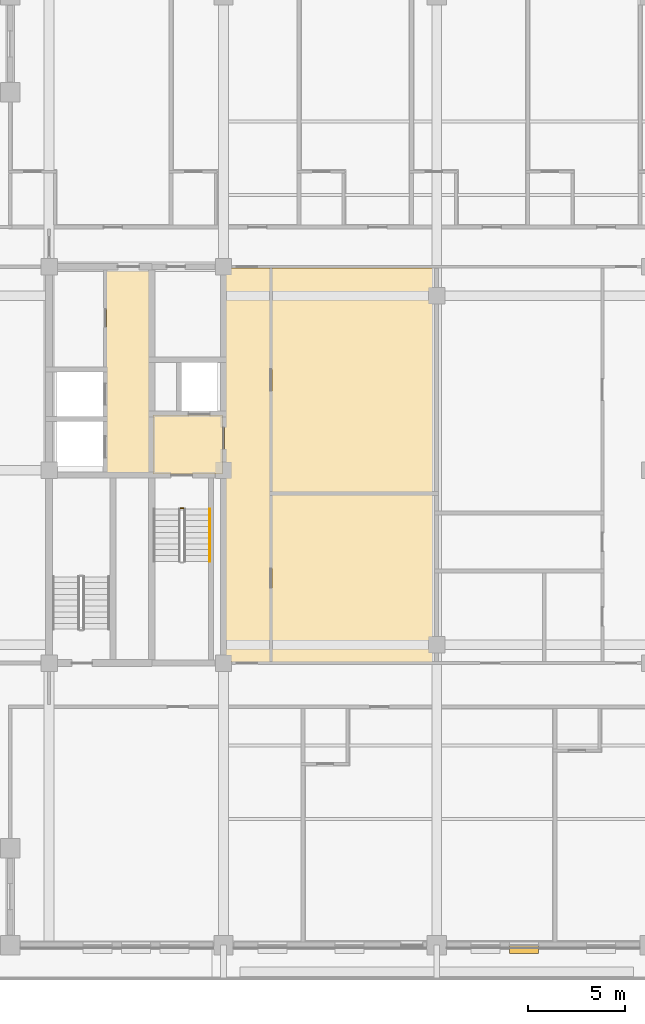
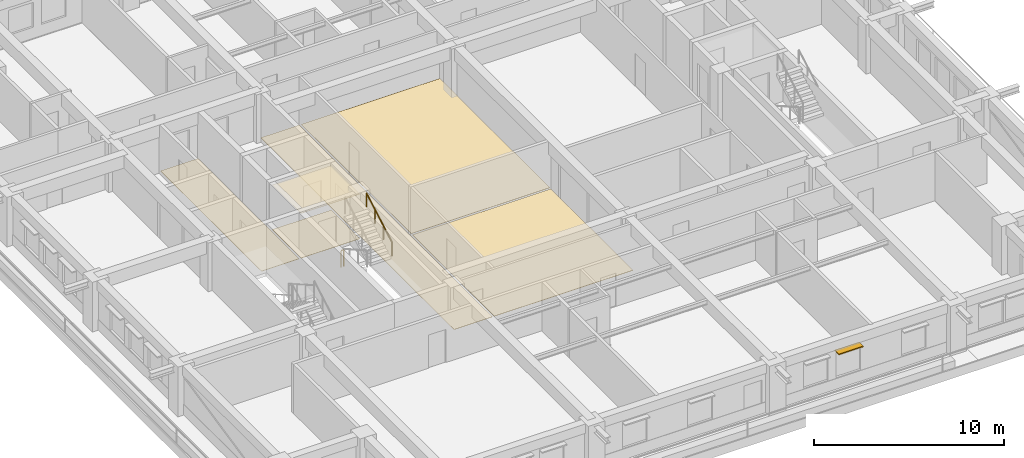
# One storey, part 11 of 14: 6 coverings, 2 railings, 1 shading device.
"""IFC4 building model written with IfcOpenShell, lengths in metres."""

from ifc_helpers import new_model, si_unit, direction, frame, frame_2d, origin, origin_2d, place, context, subcontext, project, spatial, polyline, rectangle, outline, extrude, material, layer, layer_set, type_object, element, save


model = new_model("IFC4")

# Units and contexts
model_context = context("Model", 3, precision=1e-05, world=origin(), true_north=direction((0.0, 1.0)))
body_context = subcontext(model_context, "Body", "Model", "MODEL_VIEW")
ifc_project = project(units=[si_unit("LENGTHUNIT", "METRE"), si_unit("AREAUNIT", "SQUARE_METRE"), si_unit("VOLUMEUNIT", "CUBIC_METRE"), si_unit("PLANEANGLEUNIT", "RADIAN"), si_unit("MASSUNIT", "GRAM", prefix="KILO")], contexts=[model_context])

# Site, building, storey
site_placement = place(None, origin())
site = spatial("IfcSite", under=ifc_project, at=site_placement, CompositionType="ELEMENT")
building_placement = place(site_placement, origin())
building = spatial("IfcBuilding", under=site, at=building_placement, Name="Zulmaris Gate Convention Tower", CompositionType="ELEMENT")
storey_placement = place(building_placement, frame((0.0, 0.0, 194.85986328125)))
storey = spatial("IfcBuildingStorey", under=building, at=storey_placement, Name="L50", CompositionType="ELEMENT", Elevation=194.85986328125)

# Coverings
ifc_material_1 = material(Name="Mineral Fibre Acoustic Ceiling Tile")
ifc_layer_1 = layer(ifc_material_1, 0.02001953125, Name="Mineral Fibre Acoustic Ceiling Tile")
ifc_layer_set_1 = layer_set([ifc_layer_1], Name="Mineral Fibre Acoustic Ceiling Tile")
covering_type_1 = type_object("IfcCoveringType", Name="CLG-ACOUSTIC-600", PredefinedType="CEILING", material=ifc_layer_set_1)
covering_1_placement = place(storey_placement, frame((0.0, 0.0, 2.8701171875)))
element("IfcCovering", 1, at=covering_1_placement, inside=storey, type_object=covering_type_1, Name="CLG-L50-R03", PredefinedType="CEILING", context=body_context, shape_type="SweptSolid", body=[
    extrude(outline(polyline([(-14.639892578125, -0.18994140625), (-11.06005859375, -0.18994140625), (-11.06005859375, 2.840087890625), (-14.639892578125, 2.840087890625), (-14.639892578125, -0.18994140625)])), origin(), (0.0, 0.0, 1.0), 0.02001953125),
])
ifc_material_2 = material(Name="Woven Acoustic Wool Carpet Tile")
ifc_layer_2 = layer(ifc_material_2, 0.02001953125, Name="Woven Acoustic Wool Carpet Tile")
ifc_layer_set_2 = layer_set([ifc_layer_2], Name="Woven Acoustic Wool Carpet Tile")
covering_type_2 = type_object("IfcCoveringType", Name="FLR-CARPET-12", PredefinedType="FLOORING", material=ifc_layer_set_2)
covering_2_placement = place(storey_placement, origin())
element("IfcCovering", 2, at=covering_2_placement, inside=storey, type_object=covering_type_2, Name="FLR-L50-R03", PredefinedType="FLOORING", context=body_context, shape_type="SweptSolid", body=[
    extrude(outline(polyline([(-14.639892578125, -0.18994140625), (-11.06005859375, -0.18994140625), (-11.06005859375, 2.840087890625), (-14.639892578125, 2.840087890625), (-14.639892578125, -0.18994140625)])), origin(), (0.0, 0.0, 1.0), 0.02001953125),
])
covering_3_placement = place(storey_placement, origin())
element("IfcCovering", 3, at=covering_3_placement, inside=storey, type_object=covering_type_2, Name="FLR-L50-R17", PredefinedType="FLOORING", context=body_context, shape_type="SweptSolid", body=[
    extrude(outline(polyline([(-17.0400390625, -0.18994140625), (-14.760009765625, -0.18994140625), (-14.760009765625, 10.43994140625), (-17.0400390625, 10.43994140625), (-17.0400390625, -0.18994140625)])), origin(), (0.0, 0.0, 1.0), 0.02001953125),
])
covering_4_placement = place(storey_placement, origin())
element("IfcCovering", 4, at=covering_4_placement, inside=storey, type_object=covering_type_2, Name="FLR-L50-R27", PredefinedType="FLOORING", context=body_context, shape_type="SweptSolid", body=[
    extrude(outline(polyline([(-10.93994140625, -9.889892578125), (-8.610107421875, -9.889892578125), (-8.610107421875, 10.43994140625), (-10.93994140625, 10.43994140625), (-10.93994140625, -9.889892578125)])), origin(), (0.0, 0.0, 1.0), 0.02001953125),
])
covering_5_placement = place(storey_placement, origin())
element("IfcCovering", 5, at=covering_5_placement, inside=storey, type_object=covering_type_2, Name="FLR-L50-R47", PredefinedType="FLOORING", context=body_context, shape_type="SweptSolid", body=[
    extrude(outline(polyline([(-8.489990234375, -9.889892578125), (-0.06005859375, -9.889892578125), (-0.06005859375, -1.260009765625), (-8.489990234375, -1.260009765625), (-8.489990234375, -9.889892578125)])), origin(), (0.0, 0.0, 1.0), 0.02001953125),
])
ifc_material_3 = material(Name="Engineered Teak Parquet Flooring")
ifc_layer_3 = layer(ifc_material_3, 0.02001953125, Name="Engineered Teak Parquet Flooring")
ifc_layer_set_3 = layer_set([ifc_layer_3], Name="Engineered Teak Parquet Flooring")
covering_type_3 = type_object("IfcCoveringType", Name="FLR-TIMBER-18", PredefinedType="FLOORING", material=ifc_layer_set_3)
covering_6_placement = place(storey_placement, origin())
element("IfcCovering", 6, at=covering_6_placement, inside=storey, type_object=covering_type_3, Name="FLR-L50-R46", PredefinedType="FLOORING", context=body_context, shape_type="SweptSolid", body=[
    extrude(outline(polyline([(-8.489990234375, -1.139892578125), (-0.06005859375, -1.139892578125), (-0.06005859375, 10.43994140625), (-8.489990234375, 10.43994140625), (-8.489990234375, -1.139892578125)])), origin(), (0.0, 0.0, 1.0), 0.02001953125),
])

# Railings
ifc_material_4 = material(Name="Painted Galvanised Steel", Category="steel")
railing_type_1 = type_object("IfcRailingType", Name="RL-STG-1150", PredefinedType="GUARDRAIL", material=ifc_material_4)
railing_1_placement = place(storey_placement, frame((-13.219970703125, -1.949951171875, 0.0)))
element("IfcRailing", 7, at=railing_1_placement, inside=storey, type_object=railing_type_1, Name="L50 ST-1 stair guard 4", PredefinedType="GUARDRAIL", context=body_context, shape_type="SweptSolid", body=[
    extrude(rectangle(XDim=0.048095703125, YDim=0.048095703125, at=origin_2d()), frame((0.0, 0.0, 1.076171875), z_axis=(1.0, 0.0, 0.0), x_axis=(0.0, 1.0, 0.0)), (0.0, 0.0, 1.0), 0.159912109375),
    extrude(rectangle(XDim=0.0419921875, YDim=0.0419921875, at=origin_2d()), origin(), (0.0, 0.0, 1.0), 1.052001953125),
    extrude(rectangle(XDim=0.0419921875, YDim=0.0419921875, at=origin_2d()), frame((0.159912109375, 0.0, 0.0)), (0.0, 0.0, 1.0), 1.052001953125),
])
ifc_material_5 = material(Name="Brushed Stainless Steel", Category="steel")
railing_type_2 = type_object("IfcRailingType", Name="RL-STH-900", PredefinedType="HANDRAIL", material=ifc_material_5)
railing_2_placement = place(storey_placement, frame((-11.7099609375, -4.699951171875, 1.8701171875)))
element("IfcRailing", 8, at=railing_2_placement, inside=storey, type_object=railing_type_2, Name="L50 ST-1 stair handrail 2", PredefinedType="HANDRAIL", context=body_context, shape_type="SweptSolid", body=[
    extrude(rectangle(XDim=0.048095703125, YDim=0.048095703125, at=origin_2d()), frame((0.0, 0.0, 0.8759765625), z_axis=(0.0, 0.870014312096, 0.49302646658), x_axis=(-1.0, 0.0, 0.0)), (0.0, 0.0, 1.0), 3.103271484375),
    extrude(rectangle(XDim=0.0419921875, YDim=0.0419921875, at=origin_2d()), origin(), (0.0, 0.0, 1.0), 0.851806640625),
    extrude(rectangle(XDim=0.0419921875, YDim=0.0419921875, at=origin_2d()), frame((0.0, 0.89990234375, 0.510009765625)), (0.0, 0.0, 1.0), 0.851806640625),
    extrude(rectangle(XDim=0.0419921875, YDim=0.0419921875, at=origin_2d()), frame((0.0, 1.800048828125, 1.02001953125)), (0.0, 0.0, 1.0), 0.851806640625),
    extrude(rectangle(XDim=0.0419921875, YDim=0.0419921875, at=origin_2d()), frame((0.0, 2.699951171875, 1.530029296875)), (0.0, 0.0, 1.0), 0.851806640625),
])

# Shading device
ifc_material_6 = material(Name="Glazed Ceramic Terracotta", Category="masonry")
ifc_layer_4 = layer(ifc_material_6, 0.070068359375, Name="Glazed Ceramic Terracotta")
ifc_layer_set_4 = layer_set([ifc_layer_4], Name="Glazed Ceramic Terracotta")
shading_device_type = type_object("IfcShadingDeviceType", Name="SHD-SUNSHADE-TC", PredefinedType="AWNING", material=ifc_layer_set_4)
shading_device_placement = place(storey_placement, frame((3.756103515625, -24.719970703125, 2.35009765625), z_axis=(0.0, 0.0, 1.0), x_axis=(1.0, 0.0, 0.0)))
element("IfcShadingDevice", 9, at=shading_device_placement, inside=storey, type_object=shading_device_type, Name="SHD-EW-L50-S-2_0-2", PredefinedType="AWNING", context=body_context, shape_type="SweptSolid", body=[
    extrude(rectangle(XDim=1.5, YDim=0.43994140625, at=frame_2d((0.75, 0.0))), origin(), (0.0, 0.0, 1.0), 0.06982421875),
])

save(model, "model.ifc")
